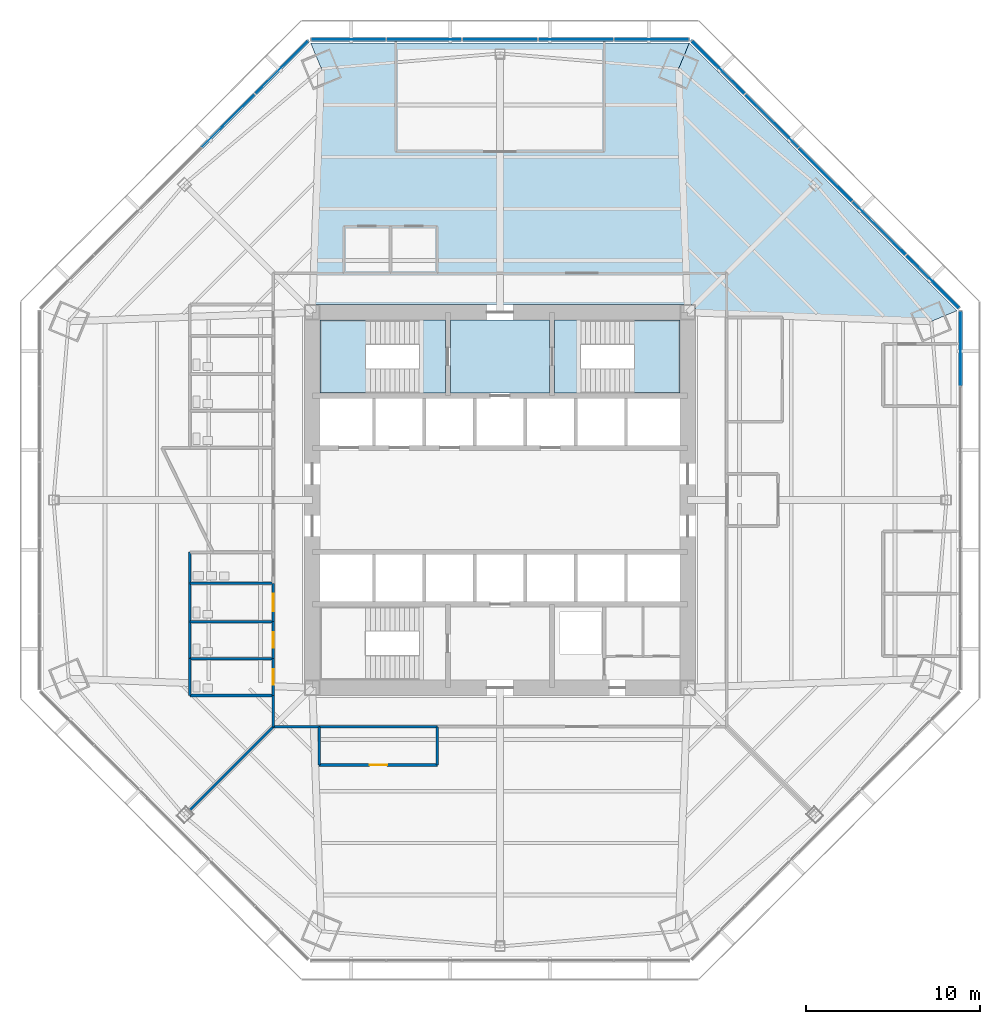
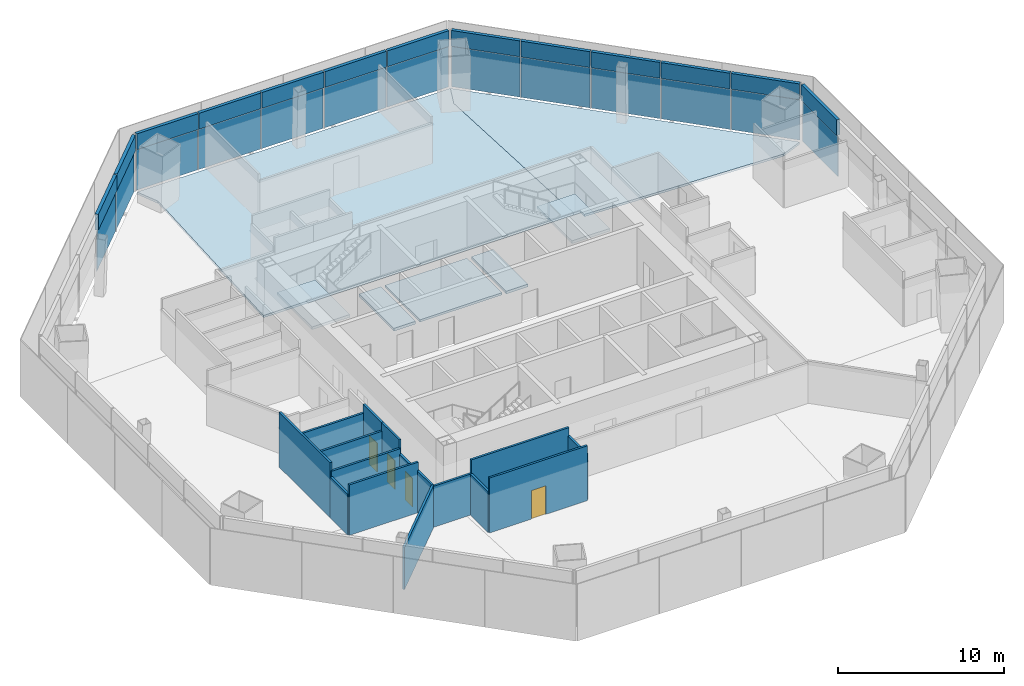
# One storey, part 8 of 14: 26 plates, 16 walls, 7 slabs, 4 doors, 4 openings, 6 elements without a shape of their own.
"""IFC4 building model written with IfcOpenShell, lengths in metres."""

from ifc_helpers import new_model, si_unit, direction, frame, frame_2d, origin, origin_2d, place, context, subcontext, project, spatial, polyline, rectangle, outline, extrude, source, transform, mapped, material, layer, layer_set, type_object, type_shapes, element, fill, aggregate, save


model = new_model("IFC4")

# Units and contexts
model_context = context("Model", 3, precision=1e-05, world=origin(), true_north=direction((0.0, 1.0)))
body_context = subcontext(model_context, "Body", "Model", "MODEL_VIEW")
ifc_project = project(units=[si_unit("LENGTHUNIT", "METRE"), si_unit("AREAUNIT", "SQUARE_METRE"), si_unit("VOLUMEUNIT", "CUBIC_METRE"), si_unit("PLANEANGLEUNIT", "RADIAN"), si_unit("MASSUNIT", "GRAM", prefix="KILO")], contexts=[model_context])

# Site, building, storey
site_placement = place(None, origin())
site = spatial("IfcSite", under=ifc_project, at=site_placement, CompositionType="ELEMENT")
building_placement = place(site_placement, origin())
building = spatial("IfcBuilding", under=site, at=building_placement, Name="Mashrafa Tower", CompositionType="ELEMENT")
storey_placement = place(building_placement, frame((0.0, 0.0, 54.0)))
storey = spatial("IfcBuildingStorey", under=building, at=storey_placement, Name="L11", CompositionType="ELEMENT", Elevation=54.0)

# Slabs
ifc_material_1 = material(Name="Concrete C35/45", Category="concrete")
ifc_layer_1 = layer(ifc_material_1, 0.1650390625)
ifc_layer_set_1 = layer_set([ifc_layer_1], Name="Floor slab 165")
slab_type_1 = type_object("IfcSlabType", Name="Floor slab 165", PredefinedType="FLOOR", material=ifc_layer_set_1)
slab_1_placement = place(storey_placement, frame((0.0, 0.0, -0.1650390625)))
element("IfcSlab", 1, at=slab_1_placement, inside=storey, type_object=slab_type_1, Name="Floor slab L11 north-east bay", PredefinedType="FLOOR", context=body_context, shape_type="SweptSolid", body=[
    extrude(outline(polyline([(10.888427734375, 26.287109375), (26.287109375, 10.888427734375), (26.287109375, 10.888427734375), (24.813720703125, 10.278076171875), (11.25, 10.783203125), (11.25, 11.25), (10.783203125, 11.25), (10.278076171875, 24.813720703125), (10.888427734375, 26.287109375), (10.888427734375, 26.287109375)])), origin(), (0.0, 0.0, 1.0), 0.1650390625),
])
slab_2_placement = place(storey_placement, frame((0.0, 0.0, -0.1650390625)))
element("IfcSlab", 2, at=slab_2_placement, inside=storey, type_object=slab_type_1, Name="Floor slab L11 north bay", PredefinedType="FLOOR", context=body_context, shape_type="SweptSolid", body=[
    extrude(outline(polyline([(10.888427734375, 26.287109375), (10.278076171875, 24.813720703125), (10.783203125, 11.25), (-10.783203125, 11.25), (-10.278076171875, 24.813720703125), (-10.888427734375, 26.287109375), (10.888427734375, 26.287109375)])), origin(), (0.0, 0.0, 1.0), 0.1650390625),
])
slab_3_placement = place(storey_placement, frame((0.0, 0.0, -0.1650390625)))
element("IfcSlab", 3, at=slab_3_placement, inside=storey, type_object=slab_type_1, Name="Core floor fire-fighting lobby north L11", PredefinedType="FLOOR", context=body_context, shape_type="SweptSolid", body=[
    extrude(outline(polyline([(-2.85009765625, 10.35009765625), (2.85009765625, 10.35009765625), (2.85009765625, 6.14990234375), (-2.85009765625, 6.14990234375), (-2.85009765625, 10.35009765625)])), origin(), (0.0, 0.0, 1.0), 0.1650390625),
])

# Stair, slabs
ifc_material_2 = material(Name="Exit stair 1400")
stair_type = type_object("IfcStairType", Name="Exit stair 1400", PredefinedType="HALF_TURN_STAIR", material=ifc_material_2)
stair_1_placement = place(storey_placement, origin())
stair_1 = element("IfcStair", 4, at=stair_1_placement, inside=storey, type_object=stair_type, Name="Stair S1 L11", PredefinedType="HALF_TURN_STAIR")
ifc_material_3 = material(Name="Concrete C32/40", Category="concrete")
ifc_layer_2 = layer(ifc_material_3, 0.199951171875)
ifc_layer_set_2 = layer_set([ifc_layer_2], Name="Stair landing 200")
slab_type_2 = type_object("IfcSlabType", Name="Stair landing 200", PredefinedType="LANDING", material=ifc_layer_set_2)
slab_4_placement = place(storey_placement, frame((0.0, 0.0, -0.199951171875)))
slab_4 = element("IfcSlab", 5, at=slab_4_placement, type_object=slab_type_2, Name="S1 landing 1", PredefinedType="LANDING", context=body_context, shape_type="SweptSolid", body=[
    extrude(outline(polyline([(-4.659912109375, 6.14990234375), (-3.14990234375, 6.14990234375), (-3.14990234375, 10.35009765625), (-4.659912109375, 10.35009765625), (-4.659912109375, 6.14990234375)])), origin(), (0.0, 0.0, 1.0), 0.199951171875),
])
slab_5_placement = place(storey_placement, frame((0.0, 0.0, 1.89990234375)))
slab_5 = element("IfcSlab", 6, at=slab_5_placement, type_object=slab_type_2, Name="S1 landing 2", PredefinedType="LANDING", context=body_context, shape_type="SweptSolid", body=[
    extrude(outline(polyline([(-10.35009765625, 6.14990234375), (-7.719970703125, 6.14990234375), (-7.719970703125, 10.35009765625), (-10.35009765625, 10.35009765625), (-10.35009765625, 6.14990234375)])), origin(), (0.0, 0.0, 1.0), 0.2001953125),
])
aggregate(stair_1, [slab_4, slab_5])

stair_2_placement = place(storey_placement, origin())
stair_2 = element("IfcStair", 7, at=stair_2_placement, inside=storey, type_object=stair_type, Name="Stair S2 L11", PredefinedType="HALF_TURN_STAIR")
slab_6_placement = place(storey_placement, frame((0.0, 0.0, -0.199951171875)))
slab_6 = element("IfcSlab", 8, at=slab_6_placement, type_object=slab_type_2, Name="S2 landing 1", PredefinedType="LANDING", context=body_context, shape_type="SweptSolid", body=[
    extrude(outline(polyline([(3.14990234375, 6.14990234375), (4.659912109375, 6.14990234375), (4.659912109375, 10.35009765625), (3.14990234375, 10.35009765625), (3.14990234375, 6.14990234375)])), origin(), (0.0, 0.0, 1.0), 0.199951171875),
])
slab_7_placement = place(storey_placement, frame((0.0, 0.0, 1.89990234375)))
slab_7 = element("IfcSlab", 9, at=slab_7_placement, type_object=slab_type_2, Name="S2 landing 2", PredefinedType="LANDING", context=body_context, shape_type="SweptSolid", body=[
    extrude(outline(polyline([(7.719970703125, 6.14990234375), (10.35009765625, 6.14990234375), (10.35009765625, 10.35009765625), (7.719970703125, 10.35009765625), (7.719970703125, 6.14990234375)])), origin(), (0.0, 0.0, 1.0), 0.2001953125),
])
aggregate(stair_2, [slab_6, slab_7])

# Curtain wall, plate
ifc_material_4 = material(Name="Unitised aluminium curtain wall", Category="aluminium")
curtain_wall_type = type_object("IfcCurtainWallType", Name="Office curtain wall, zone 1 CW-A 200 deep", PredefinedType="NOTDEFINED", material=ifc_material_4)
curtain_wall_1_placement = place(storey_placement, origin())
curtain_wall_1 = element("IfcCurtainWall", 10, at=curtain_wall_1_placement, inside=storey, type_object=curtain_wall_type, Name="Office curtain wall, zone 1 L11 east", PredefinedType="NOTDEFINED")
ifc_material_5 = material(Name="Insulated double glazing, low-e, neutral", Category="glass")
ifc_layer_3 = layer(ifc_material_5, 0.028076171875)
ifc_layer_set_3 = layer_set([ifc_layer_3], Name="Vision panel CW-A 28")
plate_type_1 = type_object("IfcPlateType", Name="Vision panel CW-A 28", PredefinedType="CURTAIN_PANEL", material=ifc_layer_set_3)
shared_shape_1 = source(origin(), body_context, "Body", "SweptSolid", [
    extrude(rectangle(XDim=4.2705078125, YDim=0.028076171875, at=origin_2d()), origin(), (0.0, 0.0, 1.0), 2.9599609375),
])
plate_1_placement = place(storey_placement, frame((26.487060546875, 8.7197265625, 0.0), z_axis=(0.0, 0.0, 1.0), x_axis=(0.0, 1.0, 0.0)))
plate_1 = element("IfcPlate", 11, at=plate_1_placement, type_object=plate_type_1, Name="CW-A vision panel 5", PredefinedType="CURTAIN_PANEL", context=body_context, shape_type="MappedRepresentation", body=[
    mapped(shared_shape_1, transform((0.0, 0.0, 0.0))),
])

# Curtain wall, plates
curtain_wall_2_placement = place(storey_placement, origin())
curtain_wall_2 = element("IfcCurtainWall", 12, at=curtain_wall_2_placement, inside=storey, type_object=curtain_wall_type, Name="Office curtain wall, zone 1 L11 north-east", PredefinedType="NOTDEFINED")
plate_2_placement = place(storey_placement, frame((24.89501953125, 12.5634765625, 0.0), z_axis=(0.0, 0.0, 1.0), x_axis=(-0.707106781187, 0.707106781187, 0.0)))
plate_2 = element("IfcPlate", 13, at=plate_2_placement, type_object=plate_type_1, Name="CW-A vision panel 1", PredefinedType="CURTAIN_PANEL", context=body_context, shape_type="MappedRepresentation", body=[
    mapped(shared_shape_1, transform((0.0, 0.0, 0.0))),
])
plate_3_placement = place(storey_placement, frame((12.5634765625, 24.89501953125, 0.0), z_axis=(0.0, 0.0, 1.0), x_axis=(-0.707106781187, 0.707106781187, 0.0)))
plate_3 = element("IfcPlate", 14, at=plate_3_placement, type_object=plate_type_1, Name="CW-A vision panel 5", PredefinedType="CURTAIN_PANEL", context=body_context, shape_type="MappedRepresentation", body=[
    mapped(shared_shape_1, transform((0.0, 0.0, 0.0))),
])

curtain_wall_3_placement = place(storey_placement, origin())
curtain_wall_3 = element("IfcCurtainWall", 15, at=curtain_wall_3_placement, inside=storey, type_object=curtain_wall_type, Name="Office curtain wall, zone 1 L11 north", PredefinedType="NOTDEFINED")
plate_4_placement = place(storey_placement, frame((8.7197265625, 26.487060546875, 0.0), z_axis=(0.0, 0.0, 1.0), x_axis=(-1.0, 0.0, 0.0)))
plate_4 = element("IfcPlate", 16, at=plate_4_placement, type_object=plate_type_1, Name="CW-A vision panel 1", PredefinedType="CURTAIN_PANEL", context=body_context, shape_type="MappedRepresentation", body=[
    mapped(shared_shape_1, transform((0.0, 0.0, 0.0))),
])
plate_5_placement = place(storey_placement, frame((-8.7197265625, 26.487060546875, 0.0), z_axis=(0.0, 0.0, 1.0), x_axis=(-1.0, 0.0, 0.0)))
plate_5 = element("IfcPlate", 17, at=plate_5_placement, type_object=plate_type_1, Name="CW-A vision panel 5", PredefinedType="CURTAIN_PANEL", context=body_context, shape_type="MappedRepresentation", body=[
    mapped(shared_shape_1, transform((0.0, 0.0, 0.0))),
])

# Curtain wall, plate
curtain_wall_4_placement = place(storey_placement, origin())
curtain_wall_4 = element("IfcCurtainWall", 18, at=curtain_wall_4_placement, inside=storey, type_object=curtain_wall_type, Name="Office curtain wall, zone 1 L11 north-west", PredefinedType="NOTDEFINED")
plate_6_placement = place(storey_placement, frame((-12.5634765625, 24.89501953125, 0.0), z_axis=(0.0, 0.0, 1.0), x_axis=(-0.707106781187, -0.707106781187, 0.0)))
plate_6 = element("IfcPlate", 19, at=plate_6_placement, type_object=plate_type_1, Name="CW-A vision panel 1", PredefinedType="CURTAIN_PANEL", context=body_context, shape_type="MappedRepresentation", body=[
    mapped(shared_shape_1, transform((0.0, 0.0, 0.0))),
])

# Plate
ifc_material_6 = material(Name="Insulated aluminium spandrel panel", Category="aluminium")
ifc_layer_4 = layer(ifc_material_6, 0.219970703125)
ifc_layer_set_4 = layer_set([ifc_layer_4], Name="Spandrel panel CW-A 220")
plate_type_2 = type_object("IfcPlateType", Name="Spandrel panel CW-A 220", PredefinedType="CURTAIN_PANEL", material=ifc_layer_set_4)
shared_shape_2 = source(origin(), body_context, "Body", "SweptSolid", [
    extrude(rectangle(XDim=4.2705078125, YDim=0.219970703125, at=origin_2d()), origin(), (0.0, 0.0, 1.0), 1.159912109375),
])
plate_7_placement = place(storey_placement, frame((26.487060546875, 8.7197265625, 3.0400390625), z_axis=(0.0, 0.0, 1.0), x_axis=(0.0, 1.0, 0.0)))
plate_7 = element("IfcPlate", 20, at=plate_7_placement, type_object=plate_type_2, Name="CW-A spandrel panel 5", PredefinedType="CURTAIN_PANEL", context=body_context, shape_type="MappedRepresentation", body=[
    mapped(shared_shape_2, transform((0.0, 0.0, 0.0))),
])

aggregate(curtain_wall_1, [plate_1, plate_7])

plate_8_placement = place(storey_placement, frame((24.89501953125, 12.5634765625, 3.0400390625), z_axis=(0.0, 0.0, 1.0), x_axis=(-0.707106781187, 0.707106781187, 0.0)))
plate_8 = element("IfcPlate", 21, at=plate_8_placement, type_object=plate_type_2, Name="CW-A spandrel panel 1", PredefinedType="CURTAIN_PANEL", context=body_context, shape_type="MappedRepresentation", body=[
    mapped(shared_shape_2, transform((0.0, 0.0, 0.0))),
])

plate_9_placement = place(storey_placement, frame((12.5634765625, 24.89501953125, 3.0400390625), z_axis=(0.0, 0.0, 1.0), x_axis=(-0.707106781187, 0.707106781187, 0.0)))
plate_9 = element("IfcPlate", 22, at=plate_9_placement, type_object=plate_type_2, Name="CW-A spandrel panel 5", PredefinedType="CURTAIN_PANEL", context=body_context, shape_type="MappedRepresentation", body=[
    mapped(shared_shape_2, transform((0.0, 0.0, 0.0))),
])

plate_10_placement = place(storey_placement, frame((8.7197265625, 26.487060546875, 3.0400390625), z_axis=(0.0, 0.0, 1.0), x_axis=(-1.0, 0.0, 0.0)))
plate_10 = element("IfcPlate", 23, at=plate_10_placement, type_object=plate_type_2, Name="CW-A spandrel panel 1", PredefinedType="CURTAIN_PANEL", context=body_context, shape_type="MappedRepresentation", body=[
    mapped(shared_shape_2, transform((0.0, 0.0, 0.0))),
])

plate_11_placement = place(storey_placement, frame((-8.7197265625, 26.487060546875, 3.0400390625), z_axis=(0.0, 0.0, 1.0), x_axis=(-1.0, 0.0, 0.0)))
plate_11 = element("IfcPlate", 24, at=plate_11_placement, type_object=plate_type_2, Name="CW-A spandrel panel 5", PredefinedType="CURTAIN_PANEL", context=body_context, shape_type="MappedRepresentation", body=[
    mapped(shared_shape_2, transform((0.0, 0.0, 0.0))),
])

plate_12_placement = place(storey_placement, frame((-12.5634765625, 24.89501953125, 3.0400390625), z_axis=(0.0, 0.0, 1.0), x_axis=(-0.707106781187, -0.707106781187, 0.0)))
plate_12 = element("IfcPlate", 25, at=plate_12_placement, type_object=plate_type_2, Name="CW-A spandrel panel 1", PredefinedType="CURTAIN_PANEL", context=body_context, shape_type="MappedRepresentation", body=[
    mapped(shared_shape_2, transform((0.0, 0.0, 0.0))),
])

shared_shape_3 = source(origin(), body_context, "Body", "SweptSolid", [
    extrude(rectangle(XDim=4.302978515625, YDim=0.028076171875, at=origin_2d()), origin(), (0.0, 0.0, 1.0), 2.9599609375),
])
type_shapes(plate_type_1, [shared_shape_1, shared_shape_3])
plate_13_placement = place(storey_placement, frame((21.81787109375, 15.640625, 0.0), z_axis=(0.0, 0.0, 1.0), x_axis=(-0.707106781187, 0.707106781187, 0.0)))
plate_13 = element("IfcPlate", 26, at=plate_13_placement, type_object=plate_type_1, Name="CW-A vision panel 2", PredefinedType="CURTAIN_PANEL", context=body_context, shape_type="MappedRepresentation", body=[
    mapped(shared_shape_3, transform((0.0, 0.0, 0.0))),
])

plate_14_placement = place(storey_placement, frame((18.729248046875, 18.729248046875, 0.0), z_axis=(0.0, 0.0, 1.0), x_axis=(-0.707106781187, 0.707106781187, 0.0)))
plate_14 = element("IfcPlate", 27, at=plate_14_placement, type_object=plate_type_1, Name="CW-A vision panel 3", PredefinedType="CURTAIN_PANEL", context=body_context, shape_type="MappedRepresentation", body=[
    mapped(shared_shape_3, transform((0.0, 0.0, 0.0))),
])

plate_15_placement = place(storey_placement, frame((15.640625, 21.81787109375, 0.0), z_axis=(0.0, 0.0, 1.0), x_axis=(-0.707106781187, 0.707106781187, 0.0)))
plate_15 = element("IfcPlate", 28, at=plate_15_placement, type_object=plate_type_1, Name="CW-A vision panel 4", PredefinedType="CURTAIN_PANEL", context=body_context, shape_type="MappedRepresentation", body=[
    mapped(shared_shape_3, transform((0.0, 0.0, 0.0))),
])

plate_16_placement = place(storey_placement, frame((4.367919921875, 26.487060546875, 0.0), z_axis=(0.0, 0.0, 1.0), x_axis=(-1.0, 0.0, 0.0)))
plate_16 = element("IfcPlate", 29, at=plate_16_placement, type_object=plate_type_1, Name="CW-A vision panel 2", PredefinedType="CURTAIN_PANEL", context=body_context, shape_type="MappedRepresentation", body=[
    mapped(shared_shape_3, transform((0.0, 0.0, 0.0))),
])

plate_17_placement = place(storey_placement, frame((0.0, 26.487060546875, 0.0), z_axis=(0.0, 0.0, 1.0), x_axis=(-1.0, 0.0, 0.0)))
plate_17 = element("IfcPlate", 30, at=plate_17_placement, type_object=plate_type_1, Name="CW-A vision panel 3", PredefinedType="CURTAIN_PANEL", context=body_context, shape_type="MappedRepresentation", body=[
    mapped(shared_shape_3, transform((0.0, 0.0, 0.0))),
])

plate_18_placement = place(storey_placement, frame((-4.367919921875, 26.487060546875, 0.0), z_axis=(0.0, 0.0, 1.0), x_axis=(-1.0, 0.0, 0.0)))
plate_18 = element("IfcPlate", 31, at=plate_18_placement, type_object=plate_type_1, Name="CW-A vision panel 4", PredefinedType="CURTAIN_PANEL", context=body_context, shape_type="MappedRepresentation", body=[
    mapped(shared_shape_3, transform((0.0, 0.0, 0.0))),
])

plate_19_placement = place(storey_placement, frame((-15.640625, 21.81787109375, 0.0), z_axis=(0.0, 0.0, 1.0), x_axis=(-0.707106781187, -0.707106781187, 0.0)))
plate_19 = element("IfcPlate", 32, at=plate_19_placement, type_object=plate_type_1, Name="CW-A vision panel 2", PredefinedType="CURTAIN_PANEL", context=body_context, shape_type="MappedRepresentation", body=[
    mapped(shared_shape_3, transform((0.0, 0.0, 0.0))),
])

shared_shape_4 = source(origin(), body_context, "Body", "SweptSolid", [
    extrude(rectangle(XDim=4.302978515625, YDim=0.219970703125, at=origin_2d()), origin(), (0.0, 0.0, 1.0), 1.159912109375),
])
type_shapes(plate_type_2, [shared_shape_2, shared_shape_4])
plate_20_placement = place(storey_placement, frame((21.81787109375, 15.640625, 3.0400390625), z_axis=(0.0, 0.0, 1.0), x_axis=(-0.707106781187, 0.707106781187, 0.0)))
plate_20 = element("IfcPlate", 33, at=plate_20_placement, type_object=plate_type_2, Name="CW-A spandrel panel 2", PredefinedType="CURTAIN_PANEL", context=body_context, shape_type="MappedRepresentation", body=[
    mapped(shared_shape_4, transform((0.0, 0.0, 0.0))),
])

plate_21_placement = place(storey_placement, frame((18.729248046875, 18.729248046875, 3.0400390625), z_axis=(0.0, 0.0, 1.0), x_axis=(-0.707106781187, 0.707106781187, 0.0)))
plate_21 = element("IfcPlate", 34, at=plate_21_placement, type_object=plate_type_2, Name="CW-A spandrel panel 3", PredefinedType="CURTAIN_PANEL", context=body_context, shape_type="MappedRepresentation", body=[
    mapped(shared_shape_4, transform((0.0, 0.0, 0.0))),
])

plate_22_placement = place(storey_placement, frame((15.640625, 21.81787109375, 3.0400390625), z_axis=(0.0, 0.0, 1.0), x_axis=(-0.707106781187, 0.707106781187, 0.0)))
plate_22 = element("IfcPlate", 35, at=plate_22_placement, type_object=plate_type_2, Name="CW-A spandrel panel 4", PredefinedType="CURTAIN_PANEL", context=body_context, shape_type="MappedRepresentation", body=[
    mapped(shared_shape_4, transform((0.0, 0.0, 0.0))),
])

aggregate(curtain_wall_2, [plate_2, plate_8, plate_13, plate_20, plate_14, plate_21, plate_15, plate_22, plate_3, plate_9])

plate_23_placement = place(storey_placement, frame((4.367919921875, 26.487060546875, 3.0400390625), z_axis=(0.0, 0.0, 1.0), x_axis=(-1.0, 0.0, 0.0)))
plate_23 = element("IfcPlate", 36, at=plate_23_placement, type_object=plate_type_2, Name="CW-A spandrel panel 2", PredefinedType="CURTAIN_PANEL", context=body_context, shape_type="MappedRepresentation", body=[
    mapped(shared_shape_4, transform((0.0, 0.0, 0.0))),
])

plate_24_placement = place(storey_placement, frame((0.0, 26.487060546875, 3.0400390625), z_axis=(0.0, 0.0, 1.0), x_axis=(-1.0, 0.0, 0.0)))
plate_24 = element("IfcPlate", 37, at=plate_24_placement, type_object=plate_type_2, Name="CW-A spandrel panel 3", PredefinedType="CURTAIN_PANEL", context=body_context, shape_type="MappedRepresentation", body=[
    mapped(shared_shape_4, transform((0.0, 0.0, 0.0))),
])

plate_25_placement = place(storey_placement, frame((-4.367919921875, 26.487060546875, 3.0400390625), z_axis=(0.0, 0.0, 1.0), x_axis=(-1.0, 0.0, 0.0)))
plate_25 = element("IfcPlate", 38, at=plate_25_placement, type_object=plate_type_2, Name="CW-A spandrel panel 4", PredefinedType="CURTAIN_PANEL", context=body_context, shape_type="MappedRepresentation", body=[
    mapped(shared_shape_4, transform((0.0, 0.0, 0.0))),
])

aggregate(curtain_wall_3, [plate_4, plate_10, plate_16, plate_23, plate_17, plate_24, plate_18, plate_25, plate_5, plate_11])

plate_26_placement = place(storey_placement, frame((-15.640625, 21.81787109375, 3.0400390625), z_axis=(0.0, 0.0, 1.0), x_axis=(-0.707106781187, -0.707106781187, 0.0)))
plate_26 = element("IfcPlate", 39, at=plate_26_placement, type_object=plate_type_2, Name="CW-A spandrel panel 2", PredefinedType="CURTAIN_PANEL", context=body_context, shape_type="MappedRepresentation", body=[
    mapped(shared_shape_4, transform((0.0, 0.0, 0.0))),
])

aggregate(curtain_wall_4, [plate_6, plate_12, plate_19, plate_26])

# Wall, opening, door
ifc_material_7 = material(Name="Gypsum board on steel studs", Category="steel")
ifc_layer_5 = layer(ifc_material_7, 0.14990234375)
ifc_layer_set_5 = layer_set([ifc_layer_5], Name="Corridor partition 150 1 hr")
wall_type_1 = type_object("IfcWallType", Name="Corridor partition 150 1 hr", PredefinedType="PARTITIONING", material=ifc_layer_set_5)
wall_1_placement = place(storey_placement, frame((-13.050048828125, -9.1240234375, 0.0), z_axis=(0.0, 0.0, 1.0), x_axis=(0.0, -1.0, 0.0)))
wall_1 = element("IfcWall", 40, at=wall_1_placement, inside=storey, type_object=wall_type_1, Name="Corridor wall L11-005", PredefinedType="PARTITIONING", context=body_context, shape_type="SweptSolid", body=[
    extrude(rectangle(XDim=2.126953125, YDim=0.14990234375, at=frame_2d((1.0634765625, 0.0))), origin(), (0.0, 0.0, 1.0), 3.01416015625),
])
opening_1_placement = place(wall_1_placement, frame((0.613525390625, 0.0, 0.0)))
opening_1 = element("IfcOpeningElement", 41, at=opening_1_placement, cuts=wall_1, Name="Opening 11.005", PredefinedType="OPENING", context=body_context, shape_type="SweptSolid", body=[
    extrude(rectangle(XDim=0.89990234375, YDim=2.10009765625, at=frame_2d((0.449951171875, 1.050048828125))), frame((0.0, 0.0849609375, 0.0), z_axis=(0.0, -1.0, 0.0), x_axis=(1.0, 0.0, 0.0)), (0.0, 0.0, 1.0), 0.169921875),
])
ifc_material_8 = material(Name="Timber door", Category="wood")
door_type_1 = type_object("IfcDoorType", Name="Toilet door 900 x 2100", OperationType="USERDEFINED", PredefinedType="DOOR", material=ifc_material_8)
door_1_placement = place(opening_1_placement, frame((0.89990234375, 0.0, 0.0), z_axis=(0.0, 0.0, 1.0), x_axis=(-1.0, 0.0, 0.0)))
door_1 = element("IfcDoor", 42, at=door_1_placement, inside=storey, type_object=door_type_1, Name="WC Female L11 S door", OperationType="SINGLE_SWING_RIGHT", OverallHeight=2.10009765625, OverallWidth=0.89990234375, PredefinedType="DOOR", context=body_context, shape_type="SweptSolid", body=[
    extrude(rectangle(XDim=0.89990234375, YDim=2.10009765625, at=frame_2d((0.449951171875, 1.050048828125))), frame((0.0, 0.02490234375, 0.0), z_axis=(0.0, -1.0, 0.0), x_axis=(1.0, 0.0, 0.0)), (0.0, 0.0, 1.0), 0.050048828125),
])
fill(opening_1, door_1)

wall_2_placement = place(storey_placement, frame((-13.050048828125, -6.9990234375, 0.0), z_axis=(0.0, 0.0, 1.0), x_axis=(0.0, -1.0, 0.0)))
wall_2 = element("IfcWall", 43, at=wall_2_placement, inside=storey, type_object=wall_type_1, Name="Corridor wall L11-006", PredefinedType="PARTITIONING", context=body_context, shape_type="SweptSolid", body=[
    extrude(rectangle(XDim=2.126953125, YDim=0.14990234375, at=frame_2d((1.0634765625, 0.0))), origin(), (0.0, 0.0, 1.0), 4.034912109375),
])
opening_2_placement = place(wall_2_placement, frame((0.613525390625, 0.0, 0.0)))
opening_2 = element("IfcOpeningElement", 44, at=opening_2_placement, cuts=wall_2, Name="Opening 11.006", PredefinedType="OPENING", context=body_context, shape_type="SweptSolid", body=[
    extrude(rectangle(XDim=0.89990234375, YDim=2.10009765625, at=frame_2d((0.449951171875, 1.050048828125))), frame((0.0, 0.0849609375, 0.0), z_axis=(0.0, -1.0, 0.0), x_axis=(1.0, 0.0, 0.0)), (0.0, 0.0, 1.0), 0.169921875),
])
door_2_placement = place(opening_2_placement, frame((0.89990234375, 0.0, 0.0), z_axis=(0.0, 0.0, 1.0), x_axis=(-1.0, 0.0, 0.0)))
door_2 = element("IfcDoor", 45, at=door_2_placement, inside=storey, type_object=door_type_1, Name="WC Male L11 S door", OperationType="SINGLE_SWING_RIGHT", OverallHeight=2.10009765625, OverallWidth=0.89990234375, PredefinedType="DOOR", context=body_context, shape_type="SweptSolid", body=[
    extrude(rectangle(XDim=0.89990234375, YDim=2.10009765625, at=frame_2d((0.449951171875, 1.050048828125))), frame((0.0, 0.02490234375, 0.0), z_axis=(0.0, -1.0, 0.0), x_axis=(1.0, 0.0, 0.0)), (0.0, 0.0, 1.0), 0.050048828125),
])
fill(opening_2, door_2)

wall_3_placement = place(storey_placement, frame((-13.050048828125, -4.799072265625, 0.0), z_axis=(0.0, 0.0, 1.0), x_axis=(0.0, -1.0, 0.0)))
wall_3 = element("IfcWall", 46, at=wall_3_placement, inside=storey, type_object=wall_type_1, Name="Corridor wall L11-007", PredefinedType="PARTITIONING", context=body_context, shape_type="SweptSolid", body=[
    extrude(rectangle(XDim=2.201904296875, YDim=0.14990234375, at=frame_2d((1.10107421875, 0.0))), origin(), (0.0, 0.0, 1.0), 4.034912109375),
])
opening_3_placement = place(wall_3_placement, frame((0.60107421875, 0.0, 0.0)))
opening_3 = element("IfcOpeningElement", 47, at=opening_3_placement, cuts=wall_3, Name="Opening 11.007", PredefinedType="OPENING", context=body_context, shape_type="SweptSolid", body=[
    extrude(rectangle(XDim=1.0, YDim=2.10009765625, at=frame_2d((0.5, 1.050048828125))), frame((0.0, 0.0849609375, 0.0), z_axis=(0.0, -1.0, 0.0), x_axis=(1.0, 0.0, 0.0)), (0.0, 0.0, 1.0), 0.169921875),
])
ifc_material_9 = material(Name="Timber door", Category="wood")
door_type_2 = type_object("IfcDoorType", Name="Accessible toilet door 1000 x 2100", OperationType="USERDEFINED", PredefinedType="DOOR", material=ifc_material_9)
door_3_placement = place(opening_3_placement, frame((1.0, 0.0, 0.0), z_axis=(0.0, 0.0, 1.0), x_axis=(-1.0, 0.0, 0.0)))
door_3 = element("IfcDoor", 48, at=door_3_placement, inside=storey, type_object=door_type_2, Name="Accessible WC L11 S door", OperationType="SINGLE_SWING_LEFT", OverallHeight=2.10009765625, OverallWidth=1.0, PredefinedType="DOOR", context=body_context, shape_type="SweptSolid", body=[
    extrude(rectangle(XDim=1.0, YDim=2.10009765625, at=frame_2d((0.5, 1.050048828125))), frame((0.0, 0.02490234375, 0.0), z_axis=(0.0, -1.0, 0.0), x_axis=(1.0, 0.0, 0.0)), (0.0, 0.0, 1.0), 0.050048828125),
])
fill(opening_3, door_3)

# Walls
wall_4_placement = place(storey_placement, frame((-10.40087890625, -13.050048828125, 0.0), z_axis=(0.0, 0.0, 1.0), x_axis=(1.0, 0.0, 0.0)))
element("IfcWall", 49, at=wall_4_placement, inside=storey, type_object=wall_type_1, Name="Corridor wall L11-010", PredefinedType="PARTITIONING", context=body_context, shape_type="SweptSolid", body=[
    extrude(rectangle(XDim=6.8017578125, YDim=0.14990234375, at=frame_2d((3.40087890625, 0.0))), origin(), (0.0, 0.0, 1.0), 4.034912109375),
])
wall_5_placement = place(storey_placement, frame((-13.050048828125, -11.2490234375, 0.0), z_axis=(0.0, 0.0, 1.0), x_axis=(0.0, -1.0, 0.0)))
element("IfcWall", 50, at=wall_5_placement, inside=storey, type_object=wall_type_1, Name="Corridor wall L11-015", PredefinedType="PARTITIONING", context=body_context, shape_type="SweptSolid", body=[
    extrude(rectangle(XDim=1.801025390625, YDim=0.14990234375, at=frame_2d((0.900390625, 0.0))), origin(), (0.0, 0.0, 1.0), 3.097900390625),
])
wall_6_placement = place(storey_placement, frame((-13.050048828125, -13.050048828125, 0.0), z_axis=(0.0, 0.0, 1.0), x_axis=(1.0, 0.0, 0.0)))
element("IfcWall", 51, at=wall_6_placement, inside=storey, type_object=wall_type_1, Name="Corridor wall L11-022", PredefinedType="PARTITIONING", context=body_context, shape_type="SweptSolid", body=[
    extrude(rectangle(XDim=2.651123046875, YDim=0.14990234375, at=frame_2d((1.32568359375, 0.0))), origin(), (0.0, 0.0, 1.0), 3.01416015625),
])
ifc_material_10 = material(Name="Gypsum board on steel studs", Category="steel")
ifc_layer_6 = layer(ifc_material_10, 0.14990234375)
ifc_layer_set_6 = layer_set([ifc_layer_6], Name="Partition 150")
wall_type_2 = type_object("IfcWallType", Name="Partition 150", PredefinedType="PARTITIONING", material=ifc_layer_set_6)
wall_7_placement = place(storey_placement, frame((-13.050048828125, -9.125, 0.0), z_axis=(0.0, 0.0, 1.0), x_axis=(-1.0, 0.0, 0.0)))
element("IfcWall", 52, at=wall_7_placement, inside=storey, type_object=wall_type_2, Name="Partition wall L11-033", PredefinedType="PARTITIONING", context=body_context, shape_type="SweptSolid", body=[
    extrude(rectangle(XDim=4.800048828125, YDim=0.14990234375, at=frame_2d((2.39990234375, 0.0))), origin(), (0.0, 0.0, 1.0), 3.423095703125),
])
wall_8_placement = place(storey_placement, frame((-17.85009765625, -9.125, 0.0), z_axis=(0.0, 0.0, 1.0), x_axis=(0.0, -1.0, 0.0)))
element("IfcWall", 53, at=wall_8_placement, inside=storey, type_object=wall_type_2, Name="Partition wall L11-034", PredefinedType="PARTITIONING", context=body_context, shape_type="SweptSolid", body=[
    extrude(rectangle(XDim=2.125, YDim=0.14990234375, at=frame_2d((1.0625, 0.0))), origin(), (0.0, 0.0, 1.0), 3.01416015625),
])
wall_9_placement = place(storey_placement, frame((-17.85009765625, -11.25, 0.0), z_axis=(0.0, 0.0, 1.0), x_axis=(1.0, 0.0, 0.0)))
element("IfcWall", 54, at=wall_9_placement, inside=storey, type_object=wall_type_2, Name="Partition wall L11-035", PredefinedType="PARTITIONING", context=body_context, shape_type="SweptSolid", body=[
    extrude(rectangle(XDim=4.800048828125, YDim=0.14990234375, at=frame_2d((2.39990234375, 0.0))), origin(), (0.0, 0.0, 1.0), 3.715087890625),
])
wall_10_placement = place(storey_placement, frame((-13.050048828125, -7.0, 0.0), z_axis=(0.0, 0.0, 1.0), x_axis=(-1.0, 0.0, 0.0)))
element("IfcWall", 55, at=wall_10_placement, inside=storey, type_object=wall_type_2, Name="Partition wall L11-036", PredefinedType="PARTITIONING", context=body_context, shape_type="SweptSolid", body=[
    extrude(rectangle(XDim=4.800048828125, YDim=0.14990234375, at=frame_2d((2.39990234375, 0.0))), origin(), (0.0, 0.0, 1.0), 3.423095703125),
])
wall_11_placement = place(storey_placement, frame((-17.85009765625, -9.125, 0.0), z_axis=(0.0, 0.0, 1.0), x_axis=(0.0, 1.0, 0.0)))
element("IfcWall", 56, at=wall_11_placement, inside=storey, type_object=wall_type_2, Name="Partition wall L11-037", PredefinedType="PARTITIONING", context=body_context, shape_type="SweptSolid", body=[
    extrude(rectangle(XDim=6.125, YDim=0.14990234375, at=frame_2d((3.0625, 0.0))), origin(), (0.0, 0.0, 1.0), 4.034912109375),
])
wall_12_placement = place(storey_placement, frame((-13.050048828125, -4.800048828125, 0.0), z_axis=(0.0, 0.0, 1.0), x_axis=(-1.0, 0.0, 0.0)))
element("IfcWall", 57, at=wall_12_placement, inside=storey, type_object=wall_type_2, Name="Partition wall L11-038", PredefinedType="PARTITIONING", context=body_context, shape_type="SweptSolid", body=[
    extrude(rectangle(XDim=4.800048828125, YDim=0.14990234375, at=frame_2d((2.39990234375, 0.0))), origin(), (0.0, 0.0, 1.0), 3.423095703125),
])
wall_13_placement = place(storey_placement, frame((-10.39990234375, -13.050048828125, 0.0), z_axis=(0.0, 0.0, 1.0), x_axis=(0.0, -1.0, 0.0)))
element("IfcWall", 58, at=wall_13_placement, inside=storey, type_object=wall_type_2, Name="Partition wall L11-056", PredefinedType="PARTITIONING", context=body_context, shape_type="SweptSolid", body=[
    extrude(rectangle(XDim=2.199951171875, YDim=0.14990234375, at=frame_2d((1.10009765625, 0.0))), origin(), (0.0, 0.0, 1.0), 3.01416015625),
])

# Wall, opening, door
wall_14_placement = place(storey_placement, frame((-10.39990234375, -15.25, 0.0), z_axis=(0.0, 0.0, 1.0), x_axis=(1.0, 0.0, 0.0)))
wall_14 = element("IfcWall", 59, at=wall_14_placement, inside=storey, type_object=wall_type_2, Name="Partition wall L11-057", PredefinedType="PARTITIONING", context=body_context, shape_type="SweptSolid", body=[
    extrude(rectangle(XDim=6.7998046875, YDim=0.14990234375, at=frame_2d((3.39990234375, 0.0))), origin(), (0.0, 0.0, 1.0), 4.034912109375),
])
opening_4_placement = place(wall_14_placement, frame((2.89990234375, 0.0, 0.0)))
opening_4 = element("IfcOpeningElement", 60, at=opening_4_placement, cuts=wall_14, Name="Opening 11.014", PredefinedType="OPENING", context=body_context, shape_type="SweptSolid", body=[
    extrude(rectangle(XDim=1.0, YDim=2.10009765625, at=frame_2d((0.5, 1.050048828125))), frame((0.0, 0.0849609375, 0.0), z_axis=(0.0, -1.0, 0.0), x_axis=(1.0, 0.0, 0.0)), (0.0, 0.0, 1.0), 0.169921875),
])
ifc_material_11 = material(Name="Timber door", Category="wood")
door_type_3 = type_object("IfcDoorType", Name="Door 1000 x 2100", OperationType="USERDEFINED", PredefinedType="DOOR", material=ifc_material_11)
door_4_placement = place(opening_4_placement, origin())
door_4 = element("IfcDoor", 61, at=door_4_placement, inside=storey, type_object=door_type_3, Name="Communications Room 11 door", OperationType="SINGLE_SWING_LEFT", OverallHeight=2.10009765625, OverallWidth=1.0, PredefinedType="DOOR", context=body_context, shape_type="SweptSolid", body=[
    extrude(rectangle(XDim=1.0, YDim=2.10009765625, at=frame_2d((0.5, 1.050048828125))), frame((0.0, 0.02490234375, 0.0), z_axis=(0.0, -1.0, 0.0), x_axis=(1.0, 0.0, 0.0)), (0.0, 0.0, 1.0), 0.050048828125),
])
fill(opening_4, door_4)

# Walls
wall_15_placement = place(storey_placement, frame((-3.60009765625, -15.25, 0.0), z_axis=(0.0, 0.0, 1.0), x_axis=(0.0, 1.0, 0.0)))
element("IfcWall", 62, at=wall_15_placement, inside=storey, type_object=wall_type_2, Name="Partition wall L11-058", PredefinedType="PARTITIONING", context=body_context, shape_type="SweptSolid", body=[
    extrude(rectangle(XDim=2.199951171875, YDim=0.14990234375, at=frame_2d((1.10009765625, 0.0))), origin(), (0.0, 0.0, 1.0), 3.423095703125),
])
wall_16_placement = place(storey_placement, frame((-17.85400390625, -17.85400390625, 0.0), z_axis=(0.0, 0.0, 1.0), x_axis=(0.707106781187, 0.707106781187, 0.0)))
element("IfcWall", 63, at=wall_16_placement, inside=storey, type_object=wall_type_2, Name="Partition wall L11-070", PredefinedType="PARTITIONING", context=body_context, shape_type="SweptSolid", body=[
    extrude(rectangle(XDim=6.793701171875, YDim=0.14990234375, at=frame_2d((3.39697265625, 0.0))), origin(), (0.0, 0.0, 1.0), 3.097900390625),
])

save(model, "model.ifc")
